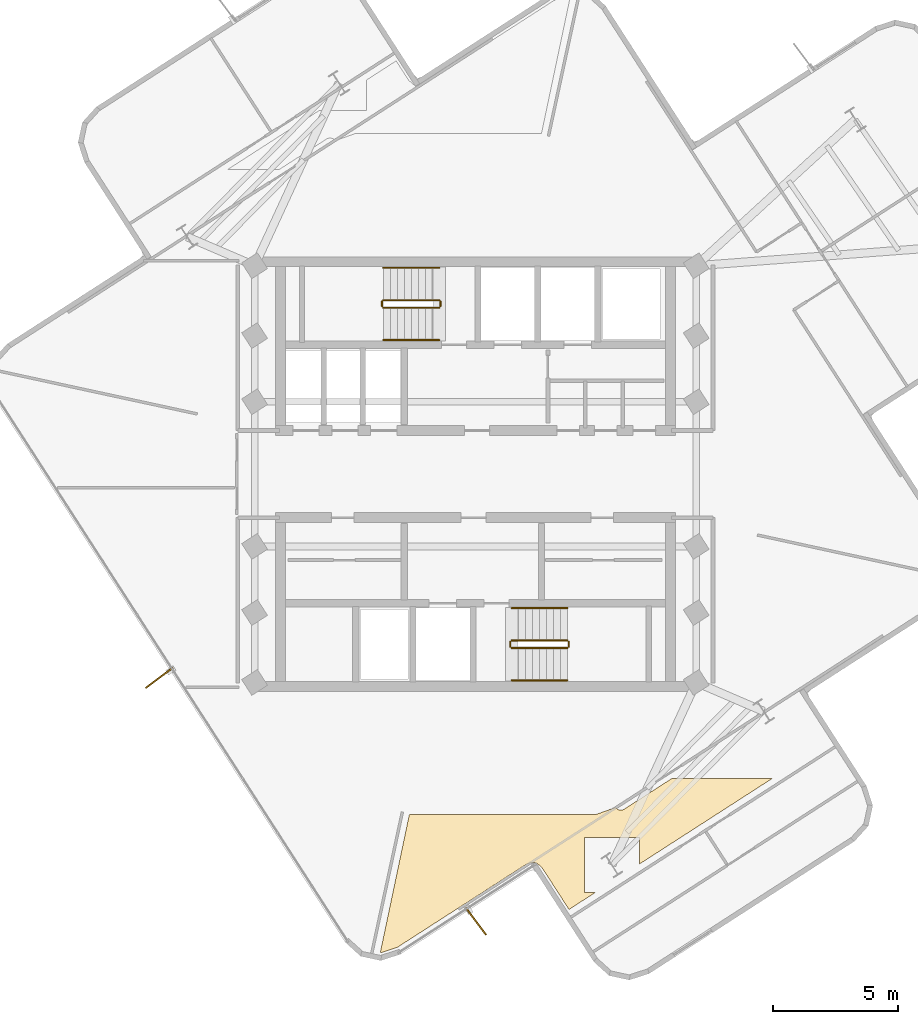
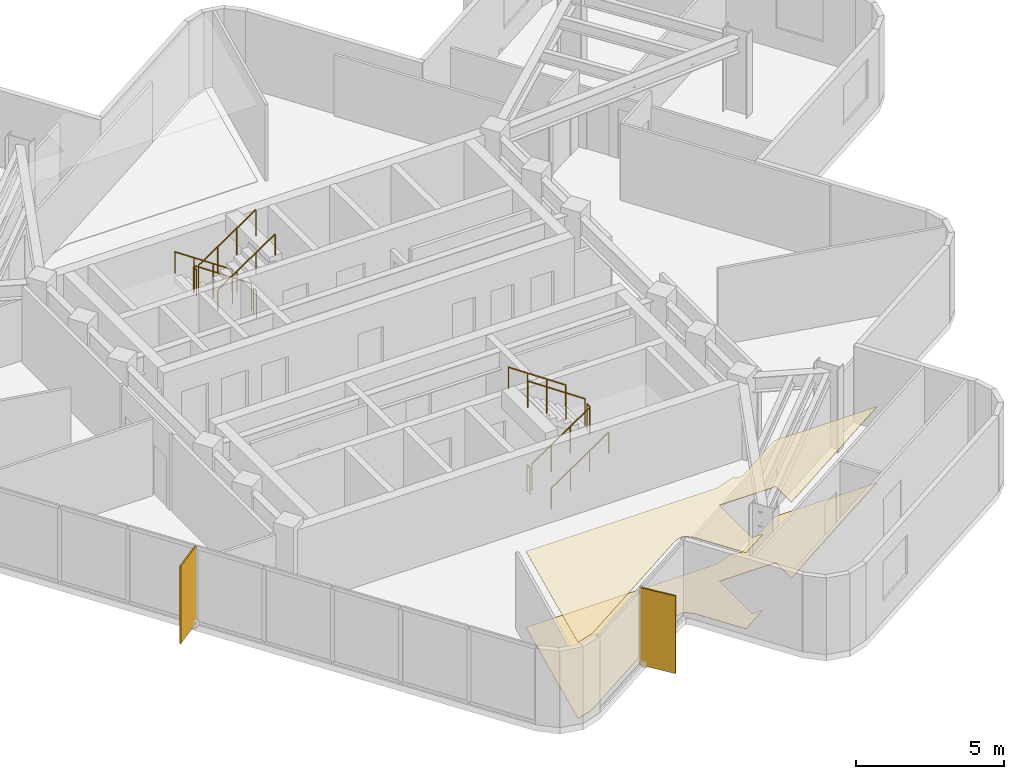
# One storey, part 8 of 9: 12 railings, 2 coverings, 2 shading devices.
"""IFC4 building model written with IfcOpenShell, lengths in metres."""

from ifc_helpers import new_model, si_unit, direction, frame, origin, origin_2d, place, context, subcontext, project, spatial, polyline, rectangle, circle, outline, extrude, material, layer, layer_set, type_object, element, save


model = new_model("IFC4")

# Units and contexts
model_context = context("Model", 3, precision=1e-05, world=origin(), true_north=direction((0.0, 1.0)))
body_context = subcontext(model_context, "Body", "Model", "MODEL_VIEW")
ifc_project = project(units=[si_unit("LENGTHUNIT", "METRE"), si_unit("AREAUNIT", "SQUARE_METRE"), si_unit("VOLUMEUNIT", "CUBIC_METRE"), si_unit("PLANEANGLEUNIT", "RADIAN"), si_unit("MASSUNIT", "GRAM", prefix="KILO")], contexts=[model_context])

# Site, building, storey
site_placement = place(None, origin())
site = spatial("IfcSite", under=ifc_project, at=site_placement, CompositionType="ELEMENT")
building_placement = place(site_placement, origin())
building = spatial("IfcBuilding", under=site, at=building_placement, Name="Solmarez Civic Tower", CompositionType="ELEMENT")
storey_placement = place(building_placement, frame((0.0, 0.0, 215.4599609375)))
storey = spatial("IfcBuildingStorey", under=building, at=storey_placement, Name="L57", CompositionType="ELEMENT", Elevation=215.4599609375)

# Coverings
ifc_material_1 = material(Name="Perforated Mineral-Fibre Acoustic Ceiling")
ifc_layer_1 = layer(ifc_material_1, 0.02490234375)
ifc_layer_set_1 = layer_set([ifc_layer_1], Name="Perforated Mineral-Fibre Acoustic Ceiling")
covering_type_1 = type_object("IfcCoveringType", Name="COV-CEIL-ACOUSTIC", PredefinedType="CEILING", material=ifc_layer_set_1)
covering_1_placement = place(storey_placement, frame((0.0, 0.0, 3.135009765625)))
element("IfcCovering", 1, at=covering_1_placement, inside=storey, type_object=covering_type_1, Name="L57 Suspended Acoustic Ceiling 1", PredefinedType="CEILING", context=body_context, shape_type="SweptSolid", body=[
    extrude(outline(polyline([(2.47802734375, -15.612060546875), (2.493896484375, -15.6220703125), (2.510009765625, -15.634033203125), (2.51611328125, -15.638916015625), (2.52294921875, -15.64501953125), (2.64990234375, -15.760009765625), (2.657958984375, -15.76708984375), (2.6630859375, -15.77197265625), (2.677001953125, -15.7890625), (2.69091796875, -15.80810546875), (2.699951171875, -15.820068359375), (3.7509765625, -17.449951171875), (4.803955078125, -16.77099609375), (4.367919921875, -16.77099609375), (4.367919921875, -14.571044921875), (6.568115234375, -14.571044921875), (6.568115234375, -15.634033203125), (11.89794921875, -12.199951171875), (7.873046875, -12.199951171875), (5.969970703125, -13.426025390625), (5.9560546875, -13.43505859375), (5.93994140625, -13.44189453125), (5.930908203125, -13.446044921875), (5.908935546875, -13.455078125), (5.885009765625, -13.4609375), (5.8798828125, -13.4619140625), (5.875, -13.462890625), (5.85400390625, -13.466064453125), (5.83203125, -13.467041015625), (5.822021484375, -13.467041015625), (5.798095703125, -13.466064453125), (5.77392578125, -13.4619140625), (5.764892578125, -13.4599609375), (5.743896484375, -13.4541015625), (5.72412109375, -13.446044921875), (5.715087890625, -13.44189453125), (5.693115234375, -13.430908203125), (5.672119140625, -13.4169921875), (5.659912109375, -13.407958984375), (5.64404296875, -13.39501953125), (5.62890625, -13.3798828125), (5.615966796875, -13.364013671875), (5.610107421875, -13.35693359375), (5.552978515625, -13.384033203125), (5.532958984375, -13.39208984375), (4.85107421875, -13.635986328125), (4.844970703125, -13.637939453125), (4.818115234375, -13.64501953125), (4.81298828125, -13.64599609375), (4.7919921875, -13.64892578125), (4.77001953125, -13.64990234375), (-2.64794921875, -13.64990234375), (-3.81396484375, -19.18701171875), (-3.806884765625, -19.18896484375), (-3.133056640625, -18.970947265625), (1.9951171875, -15.6669921875), (2.01611328125, -15.655029296875), (2.02197265625, -15.652099609375), (2.028076171875, -15.64892578125), (2.0390625, -15.64404296875), (2.0458984375, -15.64111328125), (2.06591796875, -15.633056640625), (2.22900390625, -15.5810546875), (2.242919921875, -15.577880859375), (2.2509765625, -15.575927734375), (2.27294921875, -15.571044921875), (2.283935546875, -15.570068359375), (2.2919921875, -15.569091796875), (2.319091796875, -15.56689453125), (2.325927734375, -15.56689453125), (2.35302734375, -15.569091796875), (2.361083984375, -15.570068359375), (2.3779296875, -15.572021484375), (2.39404296875, -15.575927734375), (2.402099609375, -15.5791015625), (2.4189453125, -15.583984375), (2.43603515625, -15.590087890625), (2.443115234375, -15.593017578125), (2.4609375, -15.60205078125), (2.47802734375, -15.612060546875)])), origin(), (0.0, 0.0, 1.0), 0.025146484375),
])
ifc_material_2 = material(Name="Polished Tropical Stone Terrazzo Flooring", Category="masonry")
ifc_layer_2 = layer(ifc_material_2, 0.02001953125)
ifc_layer_set_2 = layer_set([ifc_layer_2], Name="Polished Tropical Stone Terrazzo Flooring")
covering_type_2 = type_object("IfcCoveringType", Name="COV-FLOOR-TERRAZZO", PredefinedType="FLOORING", material=ifc_layer_set_2)
covering_2_placement = place(storey_placement, origin())
element("IfcCovering", 2, at=covering_2_placement, inside=storey, type_object=covering_type_2, Name="L57 Terrazzo Floor Finish 1", PredefinedType="FLOORING", context=body_context, shape_type="SweptSolid", body=[
    extrude(outline(polyline([(2.47802734375, -15.612060546875), (2.493896484375, -15.6220703125), (2.510009765625, -15.634033203125), (2.51611328125, -15.638916015625), (2.52294921875, -15.64501953125), (2.64990234375, -15.760009765625), (2.657958984375, -15.76708984375), (2.6630859375, -15.77197265625), (2.677001953125, -15.7890625), (2.69091796875, -15.80810546875), (2.699951171875, -15.820068359375), (3.7509765625, -17.449951171875), (4.803955078125, -16.77099609375), (4.367919921875, -16.77099609375), (4.367919921875, -14.571044921875), (6.568115234375, -14.571044921875), (6.568115234375, -15.634033203125), (11.89794921875, -12.199951171875), (7.873046875, -12.199951171875), (5.969970703125, -13.426025390625), (5.9560546875, -13.43505859375), (5.93994140625, -13.44189453125), (5.930908203125, -13.446044921875), (5.908935546875, -13.455078125), (5.885009765625, -13.4609375), (5.8798828125, -13.4619140625), (5.875, -13.462890625), (5.85400390625, -13.466064453125), (5.83203125, -13.467041015625), (5.822021484375, -13.467041015625), (5.798095703125, -13.466064453125), (5.77392578125, -13.4619140625), (5.764892578125, -13.4599609375), (5.743896484375, -13.4541015625), (5.72412109375, -13.446044921875), (5.715087890625, -13.44189453125), (5.693115234375, -13.430908203125), (5.672119140625, -13.4169921875), (5.659912109375, -13.407958984375), (5.64404296875, -13.39501953125), (5.62890625, -13.3798828125), (5.615966796875, -13.364013671875), (5.610107421875, -13.35693359375), (5.552978515625, -13.384033203125), (5.532958984375, -13.39208984375), (4.85107421875, -13.635986328125), (4.844970703125, -13.637939453125), (4.818115234375, -13.64501953125), (4.81298828125, -13.64599609375), (4.7919921875, -13.64892578125), (4.77001953125, -13.64990234375), (-2.64794921875, -13.64990234375), (-3.81396484375, -19.18701171875), (-3.806884765625, -19.18896484375), (-3.133056640625, -18.970947265625), (1.9951171875, -15.6669921875), (2.01611328125, -15.655029296875), (2.02197265625, -15.652099609375), (2.028076171875, -15.64892578125), (2.0390625, -15.64404296875), (2.0458984375, -15.64111328125), (2.06591796875, -15.633056640625), (2.22900390625, -15.5810546875), (2.242919921875, -15.577880859375), (2.2509765625, -15.575927734375), (2.27294921875, -15.571044921875), (2.283935546875, -15.570068359375), (2.2919921875, -15.569091796875), (2.319091796875, -15.56689453125), (2.325927734375, -15.56689453125), (2.35302734375, -15.569091796875), (2.361083984375, -15.570068359375), (2.3779296875, -15.572021484375), (2.39404296875, -15.575927734375), (2.402099609375, -15.5791015625), (2.4189453125, -15.583984375), (2.43603515625, -15.590087890625), (2.443115234375, -15.593017578125), (2.4609375, -15.60205078125), (2.47802734375, -15.612060546875)])), origin(), (0.0, 0.0, 1.0), 0.02001953125),
])

# Shading devices
ifc_material_3 = material(Name="Bronze Anodised Aluminium EN AW-6063 T6", Category="aluminium")
ifc_layer_3 = layer(ifc_material_3, 0.054931640625)
ifc_layer_set_3 = layer_set([ifc_layer_3], Name="Bronze Anodised Aluminium EN AW-6063 T6")
shading_device_type = type_object("IfcShadingDeviceType", Name="FIN-BRONZE-Z56", PredefinedType="USERDEFINED", material=ifc_layer_set_3)
for number, where, z_axis, x_axis, name in (
    (3, (0.02001953125, -17.9208984375, -0.0400390625), (0.0, 0.0, 1.0), (0.600043316156, -0.799967511051, 0.0), "L57 Anodised Bronze Solar Fin FIN-L57-01"),
    (4, (-12.6708984375, -8.166015625, -0.0400390625), (0.0, 0.0, 1.0), (-0.799967511051, -0.600043316156, 0.0), "L57 Anodised Bronze Solar Fin FIN-L57-02"),
):
    element("IfcShadingDevice", number, at=place(storey_placement, frame(where, z_axis=z_axis, x_axis=x_axis)), inside=storey, type_object=shading_device_type, Name=name, ObjectType="FIN", PredefinedType="USERDEFINED", context=body_context, shape_type="SweptSolid", body=[
        extrude(rectangle(XDim=1.35009765625, YDim=0.054931640625, at=origin_2d()), origin(), (0.0, 0.0, 1.0), 3.199951171875),
    ])

# Railings
ifc_material_4 = material(Name="Painted Steel Stairwell Safety Guard", Category="steel")
railing_type_1 = type_object("IfcRailingType", Name="GUARD-STAIR-1120", PredefinedType="BALUSTRADE", material=ifc_material_4)
railing_1_placement = place(storey_placement, frame((-1.449951171875, 6.969970703125, 0.18994140625)))
element("IfcRailing", 5, at=railing_1_placement, inside=storey, type_object=railing_type_1, Name="L57 ST-1 stair guard 1", PredefinedType="BALUSTRADE", context=body_context, shape_type="SweptSolid", body=[
    extrude(circle(Radius=0.02392578125, at=origin_2d()), frame((0.0, 0.0, 1.09619140625), z_axis=(-0.827471284677, 0.0, 0.561508034703), x_axis=(0.0, -1.0, 0.0)), (0.0, 0.0, 1.0), 2.70703125),
    extrude(circle(Radius=0.02099609375, at=origin_2d()), origin(), (0.0, 0.0, 1.0), 1.072021484375),
    extrude(circle(Radius=0.02099609375, at=origin_2d()), frame((-0.74658203125, 0.0, 0.506591796875)), (0.0, 0.0, 1.0), 1.072021484375),
    extrude(circle(Radius=0.02099609375, at=origin_2d()), frame((-1.493408203125, 0.0, 1.013427734375)), (0.0, 0.0, 1.0), 1.072021484375),
    extrude(circle(Radius=0.02099609375, at=origin_2d()), frame((-2.239990234375, 0.0, 1.52001953125)), (0.0, 0.0, 1.0), 1.072021484375),
])
railing_2_placement = place(storey_placement, frame((-3.739990234375, 6.919921875, 1.7099609375)))
element("IfcRailing", 6, at=railing_2_placement, inside=storey, type_object=railing_type_1, Name="L57 ST-1 stair guard 2", PredefinedType="BALUSTRADE", context=body_context, shape_type="SweptSolid", body=[
    extrude(circle(Radius=0.02392578125, at=origin_2d()), frame((0.0, 0.0, 1.09619140625), z_axis=(0.0, -1.0, 0.0), x_axis=(1.0, 0.0, 0.0)), (0.0, 0.0, 1.0), 0.199951171875),
    extrude(circle(Radius=0.02099609375, at=origin_2d()), origin(), (0.0, 0.0, 1.0), 1.072021484375),
    extrude(circle(Radius=0.02099609375, at=origin_2d()), frame((0.0, -0.199951171875, 0.0)), (0.0, 0.0, 1.0), 1.072021484375),
])
railing_3_placement = place(storey_placement, frame((-3.68994140625, 6.669921875, 1.900146484375)))
element("IfcRailing", 7, at=railing_3_placement, inside=storey, type_object=railing_type_1, Name="L57 ST-1 stair guard 3", PredefinedType="BALUSTRADE", context=body_context, shape_type="SweptSolid", body=[
    extrude(circle(Radius=0.02392578125, at=origin_2d()), frame((0.0, 0.0, 1.09619140625), z_axis=(0.827513188522, 0.0, 0.561446277771), x_axis=(0.0, 1.0, 0.0)), (0.0, 0.0, 1.0), 2.706787109375),
    extrude(circle(Radius=0.02099609375, at=origin_2d()), origin(), (0.0, 0.0, 1.0), 1.072021484375),
    extrude(circle(Radius=0.02099609375, at=origin_2d()), frame((0.74658203125, 0.0, 0.506591796875)), (0.0, 0.0, 1.0), 1.072021484375),
    extrude(circle(Radius=0.02099609375, at=origin_2d()), frame((1.493408203125, 0.0, 1.01318359375)), (0.0, 0.0, 1.0), 1.072021484375),
    extrude(circle(Radius=0.02099609375, at=origin_2d()), frame((2.239990234375, 0.0, 1.519775390625)), (0.0, 0.0, 1.0), 1.072021484375),
])
railing_4_placement = place(storey_placement, frame((-1.39990234375, 6.919921875, 0.0)))
element("IfcRailing", 8, at=railing_4_placement, inside=storey, type_object=railing_type_1, Name="L57 ST-1 stair guard 4", PredefinedType="BALUSTRADE", context=body_context, shape_type="SweptSolid", body=[
    extrude(circle(Radius=0.02392578125, at=origin_2d()), frame((0.0, 0.0, 1.09619140625), z_axis=(0.0, -1.0, 0.0), x_axis=(1.0, 0.0, 0.0)), (0.0, 0.0, 1.0), 0.199951171875),
    extrude(circle(Radius=0.02099609375, at=origin_2d()), origin(), (0.0, 0.0, 1.0), 1.072021484375),
    extrude(circle(Radius=0.02099609375, at=origin_2d()), frame((0.0, -0.199951171875, 0.0)), (0.0, 0.0, 1.0), 1.072021484375),
])
railing_5_placement = place(storey_placement, frame((1.449951171875, -6.969970703125, 0.18994140625)))
element("IfcRailing", 9, at=railing_5_placement, inside=storey, type_object=railing_type_1, Name="L57 ST-2 stair guard 1", PredefinedType="BALUSTRADE", context=body_context, shape_type="SweptSolid", body=[
    extrude(circle(Radius=0.02392578125, at=origin_2d()), frame((0.0, 0.0, 1.09619140625), z_axis=(0.827471284677, 0.0, 0.561508034703), x_axis=(0.0, 1.0, 0.0)), (0.0, 0.0, 1.0), 2.70703125),
    extrude(circle(Radius=0.02099609375, at=origin_2d()), origin(), (0.0, 0.0, 1.0), 1.072021484375),
    extrude(circle(Radius=0.02099609375, at=origin_2d()), frame((0.74658203125, 0.0, 0.506591796875)), (0.0, 0.0, 1.0), 1.072021484375),
    extrude(circle(Radius=0.02099609375, at=origin_2d()), frame((1.493408203125, 0.0, 1.013427734375)), (0.0, 0.0, 1.0), 1.072021484375),
    extrude(circle(Radius=0.02099609375, at=origin_2d()), frame((2.239990234375, 0.0, 1.52001953125)), (0.0, 0.0, 1.0), 1.072021484375),
])
railing_6_placement = place(storey_placement, frame((3.739990234375, -6.919921875, 1.7099609375)))
element("IfcRailing", 10, at=railing_6_placement, inside=storey, type_object=railing_type_1, Name="L57 ST-2 stair guard 2", PredefinedType="BALUSTRADE", context=body_context, shape_type="SweptSolid", body=[
    extrude(circle(Radius=0.02392578125, at=origin_2d()), frame((0.0, 0.0, 1.09619140625), z_axis=(0.0, 1.0, 0.0), x_axis=(-1.0, 0.0, 0.0)), (0.0, 0.0, 1.0), 0.199951171875),
    extrude(circle(Radius=0.02099609375, at=origin_2d()), origin(), (0.0, 0.0, 1.0), 1.072021484375),
    extrude(circle(Radius=0.02099609375, at=origin_2d()), frame((0.0, 0.199951171875, 0.0)), (0.0, 0.0, 1.0), 1.072021484375),
])
railing_7_placement = place(storey_placement, frame((3.68994140625, -6.669921875, 1.900146484375)))
element("IfcRailing", 11, at=railing_7_placement, inside=storey, type_object=railing_type_1, Name="L57 ST-2 stair guard 3", PredefinedType="BALUSTRADE", context=body_context, shape_type="SweptSolid", body=[
    extrude(circle(Radius=0.02392578125, at=origin_2d()), frame((0.0, 0.0, 1.09619140625), z_axis=(-0.827513188522, 0.0, 0.561446277771), x_axis=(0.0, -1.0, 0.0)), (0.0, 0.0, 1.0), 2.706787109375),
    extrude(circle(Radius=0.02099609375, at=origin_2d()), origin(), (0.0, 0.0, 1.0), 1.072021484375),
    extrude(circle(Radius=0.02099609375, at=origin_2d()), frame((-0.74658203125, 0.0, 0.506591796875)), (0.0, 0.0, 1.0), 1.072021484375),
    extrude(circle(Radius=0.02099609375, at=origin_2d()), frame((-1.493408203125, 0.0, 1.01318359375)), (0.0, 0.0, 1.0), 1.072021484375),
    extrude(circle(Radius=0.02099609375, at=origin_2d()), frame((-2.239990234375, 0.0, 1.519775390625)), (0.0, 0.0, 1.0), 1.072021484375),
])
railing_8_placement = place(storey_placement, frame((1.39990234375, -6.919921875, 0.0)))
element("IfcRailing", 12, at=railing_8_placement, inside=storey, type_object=railing_type_1, Name="L57 ST-2 stair guard 4", PredefinedType="BALUSTRADE", context=body_context, shape_type="SweptSolid", body=[
    extrude(circle(Radius=0.02392578125, at=origin_2d()), frame((0.0, 0.0, 1.09619140625), z_axis=(0.0, 1.0, 0.0), x_axis=(-1.0, 0.0, 0.0)), (0.0, 0.0, 1.0), 0.199951171875),
    extrude(circle(Radius=0.02099609375, at=origin_2d()), origin(), (0.0, 0.0, 1.0), 1.072021484375),
    extrude(circle(Radius=0.02099609375, at=origin_2d()), frame((0.0, 0.199951171875, 0.0)), (0.0, 0.0, 1.0), 1.072021484375),
])
ifc_material_5 = material(Name="Brushed Stainless Steel Tube Handrail", Category="steel")
railing_type_2 = type_object("IfcRailingType", Name="HANDRAIL-STAIR-900", PredefinedType="HANDRAIL", material=ifc_material_5)
railing_9_placement = place(storey_placement, frame((-1.449951171875, 8.27001953125, 0.18994140625)))
element("IfcRailing", 13, at=railing_9_placement, inside=storey, type_object=railing_type_2, Name="L57 ST-1 stair handrail 1", PredefinedType="HANDRAIL", context=body_context, shape_type="SweptSolid", body=[
    extrude(circle(Radius=0.02392578125, at=origin_2d()), frame((0.0, 0.0, 0.8759765625), z_axis=(-0.827471284677, 0.0, 0.561508034703), x_axis=(0.0, -1.0, 0.0)), (0.0, 0.0, 1.0), 2.70703125),
    extrude(circle(Radius=0.02099609375, at=origin_2d()), origin(), (0.0, 0.0, 1.0), 0.851806640625),
    extrude(circle(Radius=0.02099609375, at=origin_2d()), frame((-0.74658203125, 0.0, 0.506591796875)), (0.0, 0.0, 1.0), 0.851806640625),
    extrude(circle(Radius=0.02099609375, at=origin_2d()), frame((-1.493408203125, 0.0, 1.013427734375)), (0.0, 0.0, 1.0), 0.851806640625),
    extrude(circle(Radius=0.02099609375, at=origin_2d()), frame((-2.239990234375, 0.0, 1.52001953125)), (0.0, 0.0, 1.0), 0.851806640625),
])
railing_10_placement = place(storey_placement, frame((-3.68994140625, 5.3701171875, 1.900146484375)))
element("IfcRailing", 14, at=railing_10_placement, inside=storey, type_object=railing_type_2, Name="L57 ST-1 stair handrail 2", PredefinedType="HANDRAIL", context=body_context, shape_type="SweptSolid", body=[
    extrude(circle(Radius=0.02392578125, at=origin_2d()), frame((0.0, 0.0, 0.8759765625), z_axis=(0.827513188522, 0.0, 0.561446277771), x_axis=(0.0, 1.0, 0.0)), (0.0, 0.0, 1.0), 2.706787109375),
    extrude(circle(Radius=0.02099609375, at=origin_2d()), origin(), (0.0, 0.0, 1.0), 0.851806640625),
    extrude(circle(Radius=0.02099609375, at=origin_2d()), frame((0.74658203125, 0.0, 0.506591796875)), (0.0, 0.0, 1.0), 0.851806640625),
    extrude(circle(Radius=0.02099609375, at=origin_2d()), frame((1.493408203125, 0.0, 1.01318359375)), (0.0, 0.0, 1.0), 0.851806640625),
    extrude(circle(Radius=0.02099609375, at=origin_2d()), frame((2.239990234375, 0.0, 1.519775390625)), (0.0, 0.0, 1.0), 0.851806640625),
])
railing_11_placement = place(storey_placement, frame((1.449951171875, -8.27001953125, 0.18994140625)))
element("IfcRailing", 15, at=railing_11_placement, inside=storey, type_object=railing_type_2, Name="L57 ST-2 stair handrail 1", PredefinedType="HANDRAIL", context=body_context, shape_type="SweptSolid", body=[
    extrude(circle(Radius=0.02392578125, at=origin_2d()), frame((0.0, 0.0, 0.8759765625), z_axis=(0.827471284677, 0.0, 0.561508034703), x_axis=(0.0, 1.0, 0.0)), (0.0, 0.0, 1.0), 2.70703125),
    extrude(circle(Radius=0.02099609375, at=origin_2d()), origin(), (0.0, 0.0, 1.0), 0.851806640625),
    extrude(circle(Radius=0.02099609375, at=origin_2d()), frame((0.74658203125, 0.0, 0.506591796875)), (0.0, 0.0, 1.0), 0.851806640625),
    extrude(circle(Radius=0.02099609375, at=origin_2d()), frame((1.493408203125, 0.0, 1.013427734375)), (0.0, 0.0, 1.0), 0.851806640625),
    extrude(circle(Radius=0.02099609375, at=origin_2d()), frame((2.239990234375, 0.0, 1.52001953125)), (0.0, 0.0, 1.0), 0.851806640625),
])
railing_12_placement = place(storey_placement, frame((3.68994140625, -5.3701171875, 1.900146484375)))
element("IfcRailing", 16, at=railing_12_placement, inside=storey, type_object=railing_type_2, Name="L57 ST-2 stair handrail 2", PredefinedType="HANDRAIL", context=body_context, shape_type="SweptSolid", body=[
    extrude(circle(Radius=0.02392578125, at=origin_2d()), frame((0.0, 0.0, 0.8759765625), z_axis=(-0.827513188522, 0.0, 0.561446277771), x_axis=(0.0, -1.0, 0.0)), (0.0, 0.0, 1.0), 2.706787109375),
    extrude(circle(Radius=0.02099609375, at=origin_2d()), origin(), (0.0, 0.0, 1.0), 0.851806640625),
    extrude(circle(Radius=0.02099609375, at=origin_2d()), frame((-0.74658203125, 0.0, 0.506591796875)), (0.0, 0.0, 1.0), 0.851806640625),
    extrude(circle(Radius=0.02099609375, at=origin_2d()), frame((-1.493408203125, 0.0, 1.01318359375)), (0.0, 0.0, 1.0), 0.851806640625),
    extrude(circle(Radius=0.02099609375, at=origin_2d()), frame((-2.239990234375, 0.0, 1.519775390625)), (0.0, 0.0, 1.0), 0.851806640625),
])

save(model, "model.ifc")
